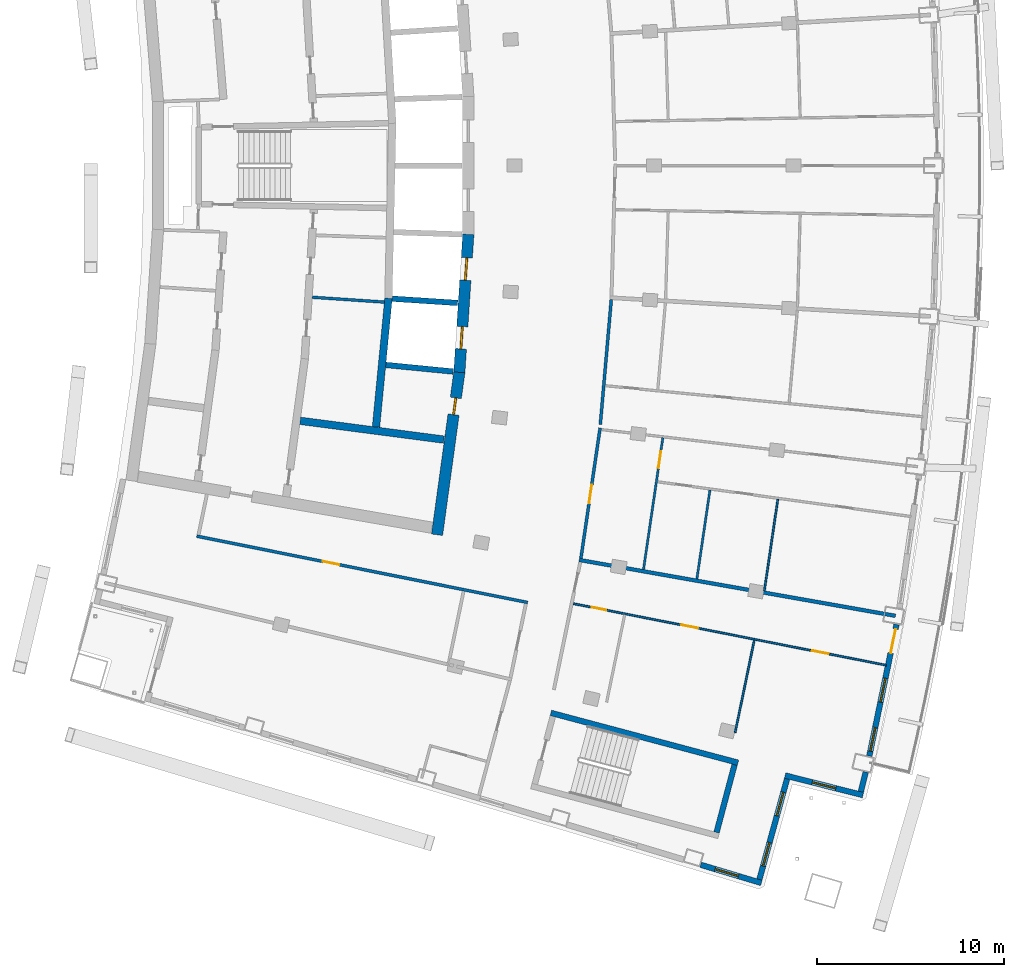
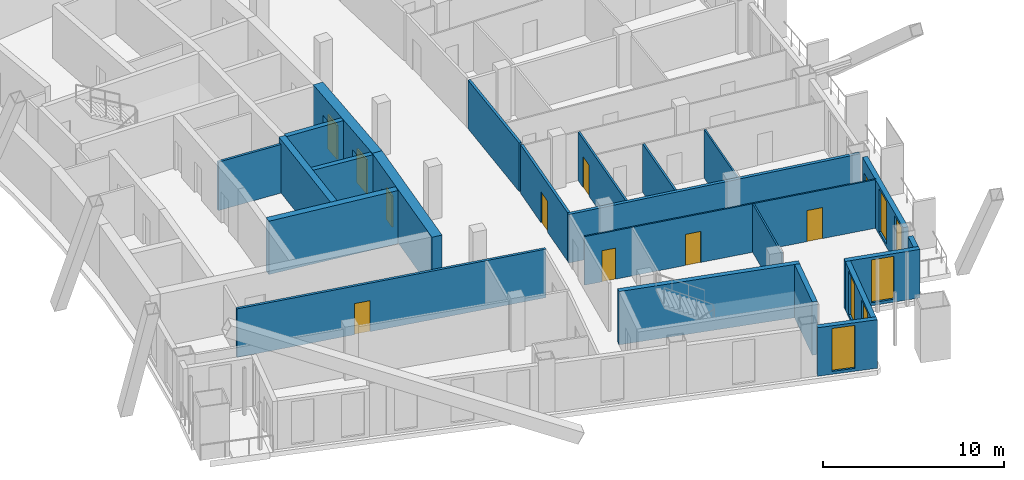
# One storey, part 10 of 19: 23 walls, 10 doors, 6 windows, 16 openings.
"""IFC4 building model written with IfcOpenShell, lengths in metres."""

from ifc_helpers import new_model, si_unit, direction, frame, frame_2d, origin, place, context, subcontext, project, spatial, rectangle, extrude, material, layer, layer_set, type_object, element, fill, save


model = new_model("IFC4")

# Units and contexts
model_context = context("Model", 3, precision=1e-05, world=origin(), true_north=direction((0.0, 1.0)))
body_context = subcontext(model_context, "Body", "Model", "MODEL_VIEW")
ifc_project = project(units=[si_unit("LENGTHUNIT", "METRE"), si_unit("AREAUNIT", "SQUARE_METRE"), si_unit("VOLUMEUNIT", "CUBIC_METRE"), si_unit("PLANEANGLEUNIT", "RADIAN"), si_unit("MASSUNIT", "GRAM", prefix="KILO")], contexts=[model_context])

# Site, building, storey
site_placement = place(None, origin())
site = spatial("IfcSite", under=ifc_project, at=site_placement, CompositionType="ELEMENT")
building_placement = place(site_placement, origin())
building = spatial("IfcBuilding", under=site, at=building_placement, Name="Alderwake Tower", CompositionType="ELEMENT")
storey_placement = place(building_placement, frame((0.0, 0.0, 200.0)))
storey = spatial("IfcBuildingStorey", under=building, at=storey_placement, Name="L49", CompositionType="ELEMENT", Elevation=200.0)

# Wall
ifc_material_1 = material(Name="Gypsum shaft wall system, rated")
ifc_layer_1 = layer(ifc_material_1, 0.14990234375)
ifc_layer_set_1 = layer_set([ifc_layer_1], Name="Core room partition 150")
wall_type_1 = type_object("IfcWallType", Name="Core room partition 150", PredefinedType="PARTITIONING", material=ifc_layer_set_1)
wall_1_placement = place(storey_placement, frame((24.990234375, 53.96142578125, 0.0), z_axis=(0.0, 0.0, 1.0), x_axis=(0.997758824467, -0.06691284031, 0.0)))
element("IfcWall", 1, at=wall_1_placement, inside=storey, type_object=wall_type_1, Name="CW/L49/PR-70_+86", PredefinedType="PARTITIONING", context=body_context, shape_type="SweptSolid", body=[
    extrude(rectangle(XDim=3.86767578125, YDim=0.14990234375, at=frame_2d((1.933837890625, 0.0))), origin(), (0.0, 0.0, 1.0), 3.280029296875),
])

# Wall, opening, door
ifc_material_2 = material(Name="Concrete C70/85", Category="concrete")
ifc_layer_2 = layer(ifc_material_2, 0.60009765625)
ifc_layer_set_2 = layer_set([ifc_layer_2], Name="Core wall outer 600 C70-85")
wall_type_2 = type_object("IfcWallType", Name="Core wall outer 600 C70-85", PredefinedType="SHEAR", material=ifc_layer_set_2)
wall_2_placement = place(storey_placement, frame((32.862548828125, 49.967529296875, 0.0), z_axis=(0.0, 0.0, 1.0), x_axis=(-0.135856583698, -0.990728514108, 0.0)))
wall_2 = element("IfcWall", 2, at=wall_2_placement, inside=storey, type_object=wall_type_2, Name="Core wall CW.017", PredefinedType="SHEAR", context=body_context, shape_type="SweptSolid", body=[
    extrude(rectangle(XDim=8.79296875, YDim=0.60009765625, at=frame_2d((4.396484375, 0.0))), origin(), (0.0, 0.0, 1.0), 3.60009765625),
])
opening_1_placement = place(wall_2_placement, frame((1.40380859375, 0.0, 0.0)))
opening_1 = element("IfcOpeningElement", 3, at=opening_1_placement, cuts=wall_2, Name="Opening C050", PredefinedType="OPENING", context=body_context, shape_type="SweptSolid", body=[
    extrude(rectangle(XDim=0.89990234375, YDim=2.10009765625, at=frame_2d((0.449951171875, 1.050048828125))), frame((0.0, 0.31005859375, 0.0), z_axis=(0.0, -1.0, 0.0), x_axis=(1.0, 0.0, 0.0)), (0.0, 0.0, 1.0), 0.6201171875),
])
ifc_material_3 = material(Name="Painted steel leaf", Category="steel")
door_type_1 = type_object("IfcDoorType", Name="Core room door 900", OperationType="SINGLE_SWING_LEFT", PredefinedType="DOOR", material=ifc_material_3)
door_1_placement = place(opening_1_placement, origin())
door_1 = element("IfcDoor", 4, at=door_1_placement, inside=storey, type_object=door_type_1, Name="Room door", OperationType="SINGLE_SWING_RIGHT", OverallHeight=2.10009765625, OverallWidth=0.89990234375, PredefinedType="DOOR", context=body_context, shape_type="SweptSolid", body=[
    extrude(rectangle(XDim=0.89990234375, YDim=2.10009765625, at=frame_2d((0.449951171875, 1.050048828125))), frame((0.0, 0.050048828125, 0.0), z_axis=(0.0, -1.0, 0.0), x_axis=(1.0, 0.0, 0.0)), (0.0, 0.0, 1.0), 0.10009765625),
])
fill(opening_1, door_1)

# Wall, openings, doors
wall_3_placement = place(storey_placement, frame((32.860107421875, 49.9453125, 0.0), z_axis=(0.0, 0.0, 1.0), x_axis=(0.065013379938, 0.997884392317, 0.0)))
wall_3 = element("IfcWall", 5, at=wall_3_placement, inside=storey, type_object=wall_type_2, Name="Core wall CW.016", PredefinedType="SHEAR", context=body_context, shape_type="SweptSolid", body=[
    extrude(rectangle(XDim=7.39404296875, YDim=0.60009765625, at=frame_2d((3.697021484375, 0.0))), origin(), (0.0, 0.0, 1.0), 3.60009765625),
])
opening_2_placement = place(wall_3_placement, frame((1.254150390625, 0.0, 0.0)))
opening_2 = element("IfcOpeningElement", 6, at=opening_2_placement, cuts=wall_3, Name="Opening LD-HP1", PredefinedType="OPENING", context=body_context, shape_type="SweptSolid", body=[
    extrude(rectangle(XDim=1.199951171875, YDim=2.300048828125, at=frame_2d((0.60009765625, 1.14990234375))), frame((0.0, 0.31005859375, 0.0), z_axis=(0.0, -1.0, 0.0), x_axis=(1.0, 0.0, 0.0)), (0.0, 0.0, 1.0), 0.6201171875),
])
opening_3_placement = place(wall_3_placement, frame((4.941162109375, 0.0, 0.0)))
opening_3 = element("IfcOpeningElement", 7, at=opening_3_placement, cuts=wall_3, Name="Opening LD-HP2", PredefinedType="OPENING", context=body_context, shape_type="SweptSolid", body=[
    extrude(rectangle(XDim=1.199951171875, YDim=2.300048828125, at=frame_2d((0.60009765625, 1.14990234375))), frame((0.0, 0.31005859375, 0.0), z_axis=(0.0, -1.0, 0.0), x_axis=(1.0, 0.0, 0.0)), (0.0, 0.0, 1.0), 0.6201171875),
])
ifc_material_4 = material(Name="Stainless steel sliding leaf", Category="steel")
door_type_2 = type_object("IfcDoorType", Name="Lift landing door 1200", OperationType="SLIDING_TO_LEFT", PredefinedType="DOOR", material=ifc_material_4)
door_2_placement = place(opening_2_placement, origin())
door_2 = element("IfcDoor", 8, at=door_2_placement, inside=storey, type_object=door_type_2, Name="Lift landing door HP1", OperationType="SLIDING_TO_LEFT", OverallHeight=2.300048828125, OverallWidth=1.199951171875, PredefinedType="DOOR", context=body_context, shape_type="SweptSolid", body=[
    extrude(rectangle(XDim=1.199951171875, YDim=2.300048828125, at=frame_2d((0.60009765625, 1.14990234375))), frame((0.0, 0.050048828125, 0.0), z_axis=(0.0, -1.0, 0.0), x_axis=(1.0, 0.0, 0.0)), (0.0, 0.0, 1.0), 0.10009765625),
])
fill(opening_2, door_2)
door_3_placement = place(opening_3_placement, origin())
door_3 = element("IfcDoor", 9, at=door_3_placement, inside=storey, type_object=door_type_2, Name="Lift landing door HP2", OperationType="SLIDING_TO_LEFT", OverallHeight=2.300048828125, OverallWidth=1.199951171875, PredefinedType="DOOR", context=body_context, shape_type="SweptSolid", body=[
    extrude(rectangle(XDim=1.199951171875, YDim=2.300048828125, at=frame_2d((0.60009765625, 1.14990234375))), frame((0.0, 0.050048828125, 0.0), z_axis=(0.0, -1.0, 0.0), x_axis=(1.0, 0.0, 0.0)), (0.0, 0.0, 1.0), 0.10009765625),
])
fill(opening_3, door_3)

# Walls
ifc_material_5 = material(Name="Concrete C70/85", Category="concrete")
ifc_layer_3 = layer(ifc_material_5, 0.300048828125)
ifc_layer_set_3 = layer_set([ifc_layer_3], Name="Core wall shaft 300 C70-85")
wall_type_3 = type_object("IfcWallType", Name="Core wall shaft 300 C70-85", PredefinedType="SHEAR", material=ifc_layer_set_3)
wall_4_placement = place(storey_placement, frame((28.92529296875, 50.341552734375, 0.0), z_axis=(0.0, 0.0, 1.0), x_axis=(0.995244416713, -0.097409193622, 0.0)))
element("IfcWall", 10, at=wall_4_placement, inside=storey, type_object=wall_type_3, Name="Core wall CW.064", PredefinedType="SHEAR", context=body_context, shape_type="SweptSolid", body=[
    extrude(rectangle(XDim=3.624267578125, YDim=0.300048828125, at=frame_2d((1.81201171875, 0.0))), origin(), (0.0, 0.0, 1.0), 3.60009765625),
])
wall_5_placement = place(storey_placement, frame((29.268798828125, 53.884521484375, 0.0), z_axis=(0.0, 0.0, 1.0), x_axis=(0.997887366571, -0.064967712281, 0.0)))
element("IfcWall", 11, at=wall_5_placement, inside=storey, type_object=wall_type_3, Name="Core wall CW.078", PredefinedType="SHEAR", context=body_context, shape_type="SweptSolid", body=[
    extrude(rectangle(XDim=3.509765625, YDim=0.300048828125, at=frame_2d((1.7548828125, 0.0))), origin(), (0.0, 0.0, 1.0), 3.60009765625),
])
ifc_material_6 = material(Name="Concrete C70/85", Category="concrete")
ifc_layer_4 = layer(ifc_material_6, 0.39990234375)
ifc_layer_set_4 = layer_set([ifc_layer_4], Name="Core wall spine 400 C70-85")
wall_type_4 = type_object("IfcWallType", Name="Core wall spine 400 C70-85", PredefinedType="SHEAR", material=ifc_layer_set_4)
wall_6_placement = place(storey_placement, frame((28.402587890625, 47.0234375, 0.0), z_axis=(0.0, 0.0, 1.0), x_axis=(0.096500230077, 0.995332962177, 0.0)))
element("IfcWall", 12, at=wall_6_placement, inside=storey, type_object=wall_type_4, Name="Core wall CW.005", PredefinedType="SHEAR", context=body_context, shape_type="SweptSolid", body=[
    extrude(rectangle(XDim=6.914306640625, YDim=0.39990234375, at=frame_2d((3.45703125, 0.0))), origin(), (0.0, 0.0, 1.0), 3.60009765625),
])
wall_7_placement = place(storey_placement, frame((24.34619140625, 47.352294921875, 0.0), z_axis=(0.0, 0.0, 1.0), x_axis=(0.991554866591, -0.129687881233, 0.0)))
element("IfcWall", 13, at=wall_7_placement, inside=storey, type_object=wall_type_4, Name="Core wall CW.069", PredefinedType="SHEAR", context=body_context, shape_type="SweptSolid", body=[
    extrude(rectangle(XDim=7.752197265625, YDim=0.39990234375, at=frame_2d((3.8759765625, 0.0))), origin(), (0.0, 0.0, 1.0), 3.60009765625),
])
ifc_material_7 = material(Name="Concrete C70/85", Category="concrete")
ifc_layer_5 = layer(ifc_material_7, 0.300048828125)
ifc_layer_set_5 = layer_set([ifc_layer_5], Name="Core wall stair enclosure 300 C70-85")
wall_type_5 = type_object("IfcWallType", Name="Core wall stair enclosure 300 C70-85", PredefinedType="SHEAR", material=ifc_layer_set_5)
wall_8_placement = place(storey_placement, frame((37.75390625, 31.731201171875, 0.0), z_axis=(0.0, 0.0, 1.0), x_axis=(0.966309214305, -0.257383958996, 0.0)))
element("IfcWall", 14, at=wall_8_placement, inside=storey, type_object=wall_type_5, Name="Core wall CW.086", PredefinedType="SHEAR", context=body_context, shape_type="SweptSolid", body=[
    extrude(rectangle(XDim=10.360107421875, YDim=0.300048828125, at=frame_2d((5.18017578125, 0.0))), origin(), (0.0, 0.0, 1.0), 3.60009765625),
])
wall_9_placement = place(storey_placement, frame((46.6162109375, 25.334716796875, 0.0), z_axis=(0.0, 0.0, 1.0), x_axis=(0.257366821694, 0.966313778796, 0.0)))
element("IfcWall", 15, at=wall_9_placement, inside=storey, type_object=wall_type_5, Name="Core wall CW.085", PredefinedType="SHEAR", context=body_context, shape_type="SweptSolid", body=[
    extrude(rectangle(XDim=3.749755859375, YDim=0.300048828125, at=frame_2d((1.875, 0.0))), origin(), (0.0, 0.0, 1.0), 3.60009765625),
])

# Wall, opening, door
ifc_material_8 = material(Name="Gypsum board on metal studs, rated")
ifc_layer_6 = layer(ifc_material_8, 0.159912109375)
ifc_layer_set_6 = layer_set([ifc_layer_6], Name="Corridor wall 160")
wall_type_6 = type_object("IfcWallType", Name="Corridor wall 160", PredefinedType="PARTITIONING", material=ifc_layer_set_6)
wall_10_placement = place(storey_placement, frame((36.513427734375, 37.63427734375, 0.0), z_axis=(0.0, 0.0, 1.0), x_axis=(-0.980470254867, 0.1966674333, 0.0)))
wall_10 = element("IfcWall", 16, at=wall_10_placement, inside=storey, type_object=wall_type_6, Name="WL/L49/W10", PredefinedType="PARTITIONING", context=body_context, shape_type="SweptSolid", body=[
    extrude(rectangle(XDim=18.053466796875, YDim=0.159912109375, at=frame_2d((9.02685546875, 0.0))), origin(), (0.0, 0.0, 1.0), 3.280029296875),
])
opening_4_placement = place(wall_10_placement, frame((10.277099609375, 0.0, 0.0)))
opening_4 = element("IfcOpeningElement", 17, at=opening_4_placement, cuts=wall_10, Name="Opening R14-SBS1", PredefinedType="OPENING", context=body_context, shape_type="SweptSolid", body=[
    extrude(rectangle(XDim=0.89990234375, YDim=2.10009765625, at=frame_2d((0.449951171875, 1.050048828125))), frame((0.0, 0.08984375, 0.0), z_axis=(0.0, -1.0, 0.0), x_axis=(1.0, 0.0, 0.0)), (0.0, 0.0, 1.0), 0.179931640625),
])
ifc_material_9 = material(Name="Painted timber leaf", Category="wood")
door_type_3 = type_object("IfcDoorType", Name="Room door 900", OperationType="SINGLE_SWING_LEFT", PredefinedType="DOOR", material=ifc_material_9)
door_4_placement = place(opening_4_placement, origin())
door_4 = element("IfcDoor", 18, at=door_4_placement, inside=storey, type_object=door_type_3, Name="DR/L49/SBS1", OperationType="SINGLE_SWING_LEFT", OverallHeight=2.10009765625, OverallWidth=0.89990234375, PredefinedType="DOOR", context=body_context, shape_type="SweptSolid", body=[
    extrude(rectangle(XDim=0.89990234375, YDim=2.10009765625, at=frame_2d((0.449951171875, 1.050048828125))), frame((0.0, 0.02490234375, 0.0), z_axis=(0.0, -1.0, 0.0), x_axis=(1.0, 0.0, 0.0)), (0.0, 0.0, 1.0), 0.050048828125),
])
fill(opening_4, door_4)

wall_11_placement = place(storey_placement, frame((40.388671875, 46.97216796875, 0.0), z_axis=(0.0, 0.0, 1.0), x_axis=(-0.145525888156, -0.989354444007, 0.0)))
wall_11 = element("IfcWall", 19, at=wall_11_placement, inside=storey, type_object=wall_type_6, Name="WL/L49/W21", PredefinedType="PARTITIONING", context=body_context, shape_type="SweptSolid", body=[
    extrude(rectangle(XDim=7.051025390625, YDim=0.159912109375, at=frame_2d((3.525390625, 0.0))), origin(), (0.0, 0.0, 1.0), 3.280029296875),
])
opening_5_placement = place(wall_11_placement, frame((3.066162109375, 0.0, 0.0)))
opening_5 = element("IfcOpeningElement", 20, at=opening_5_placement, cuts=wall_11, Name="Opening R14-U04.2", PredefinedType="OPENING", context=body_context, shape_type="SweptSolid", body=[
    extrude(rectangle(XDim=1.0, YDim=2.10009765625, at=frame_2d((0.5, 1.050048828125))), frame((0.0, 0.08984375, 0.0), z_axis=(0.0, -1.0, 0.0), x_axis=(1.0, 0.0, 0.0)), (0.0, 0.0, 1.0), 0.179931640625),
])
ifc_material_10 = material(Name="Solid timber leaf in steel frame", Category="steel")
door_type_4 = type_object("IfcDoorType", Name="Flat entrance door 1000 fire-rated", OperationType="SINGLE_SWING_LEFT", PredefinedType="DOOR", material=ifc_material_10)
door_5_placement = place(opening_5_placement, origin())
door_5 = element("IfcDoor", 21, at=door_5_placement, inside=storey, type_object=door_type_4, Name="DR/L49/U04.2", OperationType="SINGLE_SWING_LEFT", OverallHeight=2.10009765625, OverallWidth=1.0, PredefinedType="DOOR", context=body_context, shape_type="SweptSolid", body=[
    extrude(rectangle(XDim=1.0, YDim=2.10009765625, at=frame_2d((0.5, 1.050048828125))), frame((0.0, 0.02490234375, 0.0), z_axis=(0.0, -1.0, 0.0), x_axis=(1.0, 0.0, 0.0)), (0.0, 0.0, 1.0), 0.050048828125),
])
fill(opening_5, door_5)

# Walls
wall_12_placement = place(storey_placement, frame((40.400390625, 47.15869140625, 0.0), z_axis=(0.0, 0.0, 1.0), x_axis=(0.087437661692, 0.996169993183, 0.0)))
element("IfcWall", 22, at=wall_12_placement, inside=storey, type_object=wall_type_6, Name="WL/L49/W24", PredefinedType="PARTITIONING", context=body_context, shape_type="SweptSolid", body=[
    extrude(rectangle(XDim=6.701171875, YDim=0.159912109375, at=frame_2d((3.3505859375, 0.0))), origin(), (0.0, 0.0, 1.0), 3.280029296875),
])
ifc_material_11 = material(Name="Precast concrete C50/60 spandrel panel", Category="concrete")
ifc_layer_7 = layer(ifc_material_11, 0.300048828125)
ifc_layer_set_7 = layer_set([ifc_layer_7], Name="External wall EW1 Precast concrete C50/60 spandrel")
wall_type_7 = type_object("IfcWallType", Name="External wall EW1 Precast concrete C50/60 spandrel", PredefinedType="SOLIDWALL", material=ifc_layer_set_7)
wall_13_placement = place(storey_placement, frame((54.336181640625, 27.51220703125, 0.0), z_axis=(0.0, 0.0, 1.0), x_axis=(0.238257462472, 0.971202029228, 0.0)))
element("IfcWall", 23, at=wall_13_placement, inside=storey, type_object=wall_type_7, Name="External wall 11", PredefinedType="SOLIDWALL", context=body_context, shape_type="SweptSolid", body=[
    extrude(rectangle(XDim=1.088134765625, YDim=0.300048828125, at=frame_2d((0.5439453125, 0.0))), origin(), (0.0, 0.0, 1.0), 3.280029296875),
])

# Wall, openings, door, windows
wall_14_placement = place(storey_placement, frame((54.788818359375, 29.42529296875, 0.0), z_axis=(0.0, 0.0, 1.0), x_axis=(0.202741640608, 0.979232264156, 0.0)))
wall_14 = element("IfcWall", 24, at=wall_14_placement, inside=storey, type_object=wall_type_7, Name="External wall 12", PredefinedType="SOLIDWALL", context=body_context, shape_type="SweptSolid", body=[
    extrude(rectangle(XDim=7.1806640625, YDim=0.300048828125, at=frame_2d((3.59033203125, 0.0))), origin(), (0.0, 0.0, 1.0), 3.280029296875),
])
opening_6_placement = place(wall_14_placement, frame((0.25341796875, 0.0, 0.199951171875)))
opening_6 = element("IfcOpeningElement", 25, at=opening_6_placement, cuts=wall_14, Name="Opening W1", PredefinedType="OPENING", context=body_context, shape_type="SweptSolid", body=[
    extrude(rectangle(XDim=1.300048828125, YDim=2.89990234375, at=frame_2d((0.64990234375, 1.449951171875))), frame((0.0, 0.159912109375, 0.0), z_axis=(0.0, -1.0, 0.0), x_axis=(1.0, 0.0, 0.0)), (0.0, 0.0, 1.0), 0.320068359375),
])
opening_7_placement = place(wall_14_placement, frame((2.940185546875, 0.0, 0.199951171875)))
opening_7 = element("IfcOpeningElement", 26, at=opening_7_placement, cuts=wall_14, Name="Opening W1", PredefinedType="OPENING", context=body_context, shape_type="SweptSolid", body=[
    extrude(rectangle(XDim=1.300048828125, YDim=2.89990234375, at=frame_2d((0.64990234375, 1.449951171875))), frame((0.0, 0.159912109375, 0.0), z_axis=(0.0, -1.0, 0.0), x_axis=(1.0, 0.0, 0.0)), (0.0, 0.0, 1.0), 0.320068359375),
])
opening_8_placement = place(wall_14_placement, frame((5.626953125, 0.0, 0.0)))
opening_8 = element("IfcOpeningElement", 27, at=opening_8_placement, cuts=wall_14, Name="Opening D02", PredefinedType="OPENING", context=body_context, shape_type="SweptSolid", body=[
    extrude(rectangle(XDim=1.300048828125, YDim=2.39990234375, at=frame_2d((0.64990234375, 1.199951171875))), frame((0.0, 0.159912109375, 0.0), z_axis=(0.0, -1.0, 0.0), x_axis=(1.0, 0.0, 0.0)), (0.0, 0.0, 1.0), 0.320068359375),
])
ifc_material_12 = material(Name="Bronze tinted glass in aluminium frame", Category="aluminium")
door_type_5 = type_object("IfcDoorType", Name="Balcony door BD sliding", OperationType="SLIDING_TO_LEFT", PredefinedType="DOOR", material=ifc_material_12)
door_6_placement = place(opening_8_placement, origin())
door_6 = element("IfcDoor", 28, at=door_6_placement, inside=storey, type_object=door_type_5, Name="Door D02", OperationType="SLIDING_TO_LEFT", OverallHeight=2.39990234375, OverallWidth=1.300048828125, PredefinedType="DOOR", context=body_context, shape_type="SweptSolid", body=[
    extrude(rectangle(XDim=1.300048828125, YDim=2.39990234375, at=frame_2d((0.64990234375, 1.199951171875))), frame((0.0, 0.02490234375, 0.0), z_axis=(0.0, -1.0, 0.0), x_axis=(1.0, 0.0, 0.0)), (0.0, 0.0, 1.0), 0.050048828125),
])
fill(opening_8, door_6)
ifc_material_13 = material(Name="Bronze tinted glass in aluminium frame", Category="aluminium")
window_type = type_object("IfcWindowType", Name="Window W1 tall fixed and vent", PartitioningType="DOUBLE_PANEL_VERTICAL", PredefinedType="WINDOW", material=ifc_material_13)
window_1_placement = place(opening_6_placement, origin())
window_1 = element("IfcWindow", 29, at=window_1_placement, inside=storey, type_object=window_type, Name="Window W1 tall fixed and vent", OverallHeight=2.89990234375, OverallWidth=1.300048828125, PartitioningType="DOUBLE_PANEL_VERTICAL", PredefinedType="WINDOW", context=body_context, shape_type="SweptSolid", body=[
    extrude(rectangle(XDim=1.300048828125, YDim=2.89990234375, at=frame_2d((0.64990234375, 1.449951171875))), frame((0.0, 0.030029296875, 0.0), z_axis=(0.0, -1.0, 0.0), x_axis=(1.0, 0.0, 0.0)), (0.0, 0.0, 1.0), 0.06005859375),
])
fill(opening_6, window_1)
window_2_placement = place(opening_7_placement, origin())
window_2 = element("IfcWindow", 30, at=window_2_placement, inside=storey, type_object=window_type, Name="Window W1 tall fixed and vent", OverallHeight=2.89990234375, OverallWidth=1.300048828125, PartitioningType="DOUBLE_PANEL_VERTICAL", PredefinedType="WINDOW", context=body_context, shape_type="SweptSolid", body=[
    extrude(rectangle(XDim=1.300048828125, YDim=2.89990234375, at=frame_2d((0.64990234375, 1.449951171875))), frame((0.0, 0.030029296875, 0.0), z_axis=(0.0, -1.0, 0.0), x_axis=(1.0, 0.0, 0.0)), (0.0, 0.0, 1.0), 0.06005859375),
])
fill(opening_7, window_2)

# Wall, opening, window
ifc_material_14 = material(Name="Bronze metal cladding on lightweight framing")
ifc_layer_8 = layer(ifc_material_14, 0.300048828125)
ifc_layer_set_8 = layer_set([ifc_layer_8], Name="External wall EW2 bronze metal cladding")
wall_type_8 = type_object("IfcWallType", Name="External wall EW2 bronze metal cladding", PredefinedType="SOLIDWALL", material=ifc_layer_set_8)
wall_15_placement = place(storey_placement, frame((45.767822265625, 23.606201171875, 0.0), z_axis=(0.0, 0.0, 1.0), x_axis=(0.957772718114, -0.287526382159, 0.0)))
wall_15 = element("IfcWall", 31, at=wall_15_placement, inside=storey, type_object=wall_type_8, Name="External wall 8", PredefinedType="SOLIDWALL", context=body_context, shape_type="SweptSolid", body=[
    extrude(rectangle(XDim=3.387939453125, YDim=0.300048828125, at=frame_2d((1.69384765625, 0.0))), origin(), (0.0, 0.0, 1.0), 3.280029296875),
])
opening_9_placement = place(wall_15_placement, frame((0.8056640625, 0.0, 0.199951171875)))
opening_9 = element("IfcOpeningElement", 32, at=opening_9_placement, cuts=wall_15, Name="Opening W1", PredefinedType="OPENING", context=body_context, shape_type="SweptSolid", body=[
    extrude(rectangle(XDim=1.300048828125, YDim=2.89990234375, at=frame_2d((0.64990234375, 1.449951171875))), frame((0.0, 0.159912109375, 0.0), z_axis=(0.0, -1.0, 0.0), x_axis=(1.0, 0.0, 0.0)), (0.0, 0.0, 1.0), 0.320068359375),
])
window_3_placement = place(opening_9_placement, origin())
window_3 = element("IfcWindow", 33, at=window_3_placement, inside=storey, type_object=window_type, Name="Window W1 tall fixed and vent", OverallHeight=2.89990234375, OverallWidth=1.300048828125, PartitioningType="DOUBLE_PANEL_VERTICAL", PredefinedType="WINDOW", context=body_context, shape_type="SweptSolid", body=[
    extrude(rectangle(XDim=1.300048828125, YDim=2.89990234375, at=frame_2d((0.64990234375, 1.449951171875))), frame((0.0, 0.030029296875, 0.0), z_axis=(0.0, -1.0, 0.0), x_axis=(1.0, 0.0, 0.0)), (0.0, 0.0, 1.0), 0.06005859375),
])
fill(opening_9, window_3)

# Wall, openings, windows
wall_16_placement = place(storey_placement, frame((48.90869140625, 22.81982421875, 0.0), z_axis=(0.0, 0.0, 1.0), x_axis=(0.265100570168, 0.964220767095, 0.0)))
wall_16 = element("IfcWall", 34, at=wall_16_placement, inside=storey, type_object=wall_type_8, Name="External wall 9", PredefinedType="SOLIDWALL", context=body_context, shape_type="SweptSolid", body=[
    extrude(rectangle(XDim=5.581787109375, YDim=0.300048828125, at=frame_2d((2.791015625, 0.0))), origin(), (0.0, 0.0, 1.0), 3.280029296875),
])
opening_10_placement = place(wall_16_placement, frame((0.745361328125, 0.0, 0.199951171875)))
opening_10 = element("IfcOpeningElement", 35, at=opening_10_placement, cuts=wall_16, Name="Opening W1", PredefinedType="OPENING", context=body_context, shape_type="SweptSolid", body=[
    extrude(rectangle(XDim=1.300048828125, YDim=2.89990234375, at=frame_2d((0.64990234375, 1.449951171875))), frame((0.0, 0.159912109375, 0.0), z_axis=(0.0, -1.0, 0.0), x_axis=(1.0, 0.0, 0.0)), (0.0, 0.0, 1.0), 0.320068359375),
])
opening_11_placement = place(wall_16_placement, frame((3.536376953125, 0.0, 0.199951171875)))
opening_11 = element("IfcOpeningElement", 36, at=opening_11_placement, cuts=wall_16, Name="Opening W1", PredefinedType="OPENING", context=body_context, shape_type="SweptSolid", body=[
    extrude(rectangle(XDim=1.300048828125, YDim=2.89990234375, at=frame_2d((0.64990234375, 1.449951171875))), frame((0.0, 0.159912109375, 0.0), z_axis=(0.0, -1.0, 0.0), x_axis=(1.0, 0.0, 0.0)), (0.0, 0.0, 1.0), 0.320068359375),
])
window_4_placement = place(opening_10_placement, origin())
window_4 = element("IfcWindow", 37, at=window_4_placement, inside=storey, type_object=window_type, Name="Window W1 tall fixed and vent", OverallHeight=2.89990234375, OverallWidth=1.300048828125, PartitioningType="DOUBLE_PANEL_VERTICAL", PredefinedType="WINDOW", context=body_context, shape_type="SweptSolid", body=[
    extrude(rectangle(XDim=1.300048828125, YDim=2.89990234375, at=frame_2d((0.64990234375, 1.449951171875))), frame((0.0, 0.030029296875, 0.0), z_axis=(0.0, -1.0, 0.0), x_axis=(1.0, 0.0, 0.0)), (0.0, 0.0, 1.0), 0.06005859375),
])
fill(opening_10, window_4)
window_5_placement = place(opening_11_placement, origin())
window_5 = element("IfcWindow", 38, at=window_5_placement, inside=storey, type_object=window_type, Name="Window W1 tall fixed and vent", OverallHeight=2.89990234375, OverallWidth=1.300048828125, PartitioningType="DOUBLE_PANEL_VERTICAL", PredefinedType="WINDOW", context=body_context, shape_type="SweptSolid", body=[
    extrude(rectangle(XDim=1.300048828125, YDim=2.89990234375, at=frame_2d((0.64990234375, 1.449951171875))), frame((0.0, 0.030029296875, 0.0), z_axis=(0.0, -1.0, 0.0), x_axis=(1.0, 0.0, 0.0)), (0.0, 0.0, 1.0), 0.06005859375),
])
fill(opening_11, window_5)

# Wall, opening, window
wall_17_placement = place(storey_placement, frame((50.282958984375, 28.38330078125, 0.0), z_axis=(0.0, 0.0, 1.0), x_axis=(0.969425962264, -0.245383992325, 0.0)))
wall_17 = element("IfcWall", 39, at=wall_17_placement, inside=storey, type_object=wall_type_8, Name="External wall 10", PredefinedType="SOLIDWALL", context=body_context, shape_type="SweptSolid", body=[
    extrude(rectangle(XDim=4.294189453125, YDim=0.300048828125, at=frame_2d((2.14697265625, 0.0))), origin(), (0.0, 0.0, 1.0), 3.280029296875),
])
opening_12_placement = place(wall_17_placement, frame((1.4970703125, 0.0, 0.199951171875)))
opening_12 = element("IfcOpeningElement", 40, at=opening_12_placement, cuts=wall_17, Name="Opening W1", PredefinedType="OPENING", context=body_context, shape_type="SweptSolid", body=[
    extrude(rectangle(XDim=1.300048828125, YDim=2.89990234375, at=frame_2d((0.64990234375, 1.449951171875))), frame((0.0, 0.159912109375, 0.0), z_axis=(0.0, -1.0, 0.0), x_axis=(1.0, 0.0, 0.0)), (0.0, 0.0, 1.0), 0.320068359375),
])
window_6_placement = place(opening_12_placement, origin())
window_6 = element("IfcWindow", 41, at=window_6_placement, inside=storey, type_object=window_type, Name="Window W1 tall fixed and vent", OverallHeight=2.89990234375, OverallWidth=1.300048828125, PartitioningType="DOUBLE_PANEL_VERTICAL", PredefinedType="WINDOW", context=body_context, shape_type="SweptSolid", body=[
    extrude(rectangle(XDim=1.300048828125, YDim=2.89990234375, at=frame_2d((0.64990234375, 1.449951171875))), frame((0.0, 0.030029296875, 0.0), z_axis=(0.0, -1.0, 0.0), x_axis=(1.0, 0.0, 0.0)), (0.0, 0.0, 1.0), 0.06005859375),
])
fill(opening_12, window_6)

# Wall
ifc_material_15 = material(Name="Dense block masonry wall", Category="masonry")
ifc_layer_9 = layer(ifc_material_15, 0.199951171875)
ifc_layer_set_9 = layer_set([ifc_layer_9], Name="Party wall 200")
wall_type_9 = type_object("IfcWallType", Name="Party wall 200", PredefinedType="SOLIDWALL", material=ifc_layer_set_9)
wall_18_placement = place(storey_placement, frame((56.18701171875, 36.9208984375, 0.0), z_axis=(0.0, 0.0, 1.0), x_axis=(-0.984738604475, 0.17403988295, 0.0)))
element("IfcWall", 42, at=wall_18_placement, inside=storey, type_object=wall_type_9, Name="WL/L49/W01", PredefinedType="SOLIDWALL", context=body_context, shape_type="SweptSolid", body=[
    extrude(rectangle(XDim=17.179931640625, YDim=0.199951171875, at=frame_2d((8.58984375, 0.0))), origin(), (0.0, 0.0, 1.0), 3.280029296875),
])

# Wall, openings, doors
ifc_material_16 = material(Name="Gypsum board on metal studs")
ifc_layer_10 = layer(ifc_material_16, 0.10009765625)
ifc_layer_set_10 = layer_set([ifc_layer_10], Name="Unit partition 100")
wall_type_10 = type_object("IfcWallType", Name="Unit partition 100", PredefinedType="PARTITIONING", material=ifc_layer_set_10)
wall_19_placement = place(storey_placement, frame((55.69189453125, 34.278076171875, 0.0), z_axis=(0.0, 0.0, 1.0), x_axis=(-0.981163437525, 0.193179473197, 0.0)))
wall_19 = element("IfcWall", 43, at=wall_19_placement, inside=storey, type_object=wall_type_10, Name="WL/L49/W43", PredefinedType="PARTITIONING", context=body_context, shape_type="SweptSolid", body=[
    extrude(rectangle(XDim=17.06396484375, YDim=0.10009765625, at=frame_2d((8.531982421875, 0.0))), origin(), (0.0, 0.0, 1.0), 3.280029296875),
])
opening_13_placement = place(wall_19_placement, frame((10.263671875, 0.0, 0.0)))
opening_13 = element("IfcOpeningElement", 44, at=opening_13_placement, cuts=wall_19, Name="Opening R14-U03.1", PredefinedType="OPENING", context=body_context, shape_type="SweptSolid", body=[
    extrude(rectangle(XDim=0.89990234375, YDim=2.10009765625, at=frame_2d((0.449951171875, 1.050048828125))), frame((0.0, 0.06005859375, 0.0), z_axis=(0.0, -1.0, 0.0), x_axis=(1.0, 0.0, 0.0)), (0.0, 0.0, 1.0), 0.1201171875),
])
opening_14_placement = place(wall_19_placement, frame((15.25439453125, 0.0, 0.0)))
opening_14 = element("IfcOpeningElement", 45, at=opening_14_placement, cuts=wall_19, Name="Opening R14-U03.3", PredefinedType="OPENING", context=body_context, shape_type="SweptSolid", body=[
    extrude(rectangle(XDim=0.800048828125, YDim=2.10009765625, at=frame_2d((0.39990234375, 1.050048828125))), frame((0.0, 0.06005859375, 0.0), z_axis=(0.0, -1.0, 0.0), x_axis=(1.0, 0.0, 0.0)), (0.0, 0.0, 1.0), 0.1201171875),
])
opening_15_placement = place(wall_19_placement, frame((3.141845703125, 0.0, 0.0)))
opening_15 = element("IfcOpeningElement", 46, at=opening_15_placement, cuts=wall_19, Name="Opening R14-U03.4", PredefinedType="OPENING", context=body_context, shape_type="SweptSolid", body=[
    extrude(rectangle(XDim=0.89990234375, YDim=2.10009765625, at=frame_2d((0.449951171875, 1.050048828125))), frame((0.0, 0.06005859375, 0.0), z_axis=(0.0, -1.0, 0.0), x_axis=(1.0, 0.0, 0.0)), (0.0, 0.0, 1.0), 0.1201171875),
])
ifc_material_17 = material(Name="Painted timber leaf", Category="wood")
door_type_6 = type_object("IfcDoorType", Name="Bathroom door 800", OperationType="SINGLE_SWING_LEFT", PredefinedType="DOOR", material=ifc_material_17)
door_7_placement = place(opening_14_placement, origin())
door_7 = element("IfcDoor", 47, at=door_7_placement, inside=storey, type_object=door_type_6, Name="DR/L49/U03.3", OperationType="SINGLE_SWING_LEFT", OverallHeight=2.10009765625, OverallWidth=0.800048828125, PredefinedType="DOOR", context=body_context, shape_type="SweptSolid", body=[
    extrude(rectangle(XDim=0.800048828125, YDim=2.10009765625, at=frame_2d((0.39990234375, 1.050048828125))), frame((0.0, 0.02490234375, 0.0), z_axis=(0.0, -1.0, 0.0), x_axis=(1.0, 0.0, 0.0)), (0.0, 0.0, 1.0), 0.050048828125),
])
fill(opening_14, door_7)
door_8_placement = place(opening_13_placement, origin())
door_8 = element("IfcDoor", 48, at=door_8_placement, inside=storey, type_object=door_type_3, Name="DR/L49/U03.1", OperationType="SINGLE_SWING_LEFT", OverallHeight=2.10009765625, OverallWidth=0.89990234375, PredefinedType="DOOR", context=body_context, shape_type="SweptSolid", body=[
    extrude(rectangle(XDim=0.89990234375, YDim=2.10009765625, at=frame_2d((0.449951171875, 1.050048828125))), frame((0.0, 0.02490234375, 0.0), z_axis=(0.0, -1.0, 0.0), x_axis=(1.0, 0.0, 0.0)), (0.0, 0.0, 1.0), 0.050048828125),
])
fill(opening_13, door_8)
door_9_placement = place(opening_15_placement, origin())
door_9 = element("IfcDoor", 49, at=door_9_placement, inside=storey, type_object=door_type_3, Name="DR/L49/U03.4", OperationType="SINGLE_SWING_LEFT", OverallHeight=2.10009765625, OverallWidth=0.89990234375, PredefinedType="DOOR", context=body_context, shape_type="SweptSolid", body=[
    extrude(rectangle(XDim=0.89990234375, YDim=2.10009765625, at=frame_2d((0.449951171875, 1.050048828125))), frame((0.0, 0.02490234375, 0.0), z_axis=(0.0, -1.0, 0.0), x_axis=(1.0, 0.0, 0.0)), (0.0, 0.0, 1.0), 0.050048828125),
])
fill(opening_15, door_9)

# Walls
wall_20_placement = place(storey_placement, frame((47.610107421875, 30.672119140625, 0.0), z_axis=(0.0, 0.0, 1.0), x_axis=(0.20291567355, 0.979196216, 0.0)))
element("IfcWall", 50, at=wall_20_placement, inside=storey, type_object=wall_type_10, Name="WL/L49/W51", PredefinedType="PARTITIONING", context=body_context, shape_type="SweptSolid", body=[
    extrude(rectangle(XDim=5.05078125, YDim=0.10009765625, at=frame_2d((2.525390625, 0.0))), origin(), (0.0, 0.0, 1.0), 3.280029296875),
])
wall_21_placement = place(storey_placement, frame((49.175537109375, 38.261962890625, 0.0), z_axis=(0.0, 0.0, 1.0), x_axis=(0.145300878319, 0.989387514961, 0.0)))
element("IfcWall", 51, at=wall_21_placement, inside=storey, type_object=wall_type_10, Name="WL/L49/W52", PredefinedType="PARTITIONING", context=body_context, shape_type="SweptSolid", body=[
    extrude(rectangle(XDim=4.949951171875, YDim=0.10009765625, at=frame_2d((2.47509765625, 0.0))), origin(), (0.0, 0.0, 1.0), 3.280029296875),
])

# Wall, opening, door
ifc_material_18 = material(Name="Moisture resistant gypsum board on metal studs")
ifc_layer_11 = layer(ifc_material_18, 0.1201171875)
ifc_layer_set_11 = layer_set([ifc_layer_11], Name="Wet room partition 120")
wall_type_11 = type_object("IfcWallType", Name="Wet room partition 120", PredefinedType="PARTITIONING", material=ifc_layer_set_11)
wall_22_placement = place(storey_placement, frame((43.74462890625, 46.447509765625, 0.0), z_axis=(0.0, 0.0, 1.0), x_axis=(-0.145290574876, -0.989389028063, 0.0)))
wall_22 = element("IfcWall", 52, at=wall_22_placement, inside=storey, type_object=wall_type_11, Name="WL/L49/W35", PredefinedType="PARTITIONING", context=body_context, shape_type="SweptSolid", body=[
    extrude(rectangle(XDim=7.117919921875, YDim=0.1201171875, at=frame_2d((3.55908203125, 0.0))), origin(), (0.0, 0.0, 1.0), 3.280029296875),
])
opening_16_placement = place(wall_22_placement, frame((0.736572265625, 0.0, 0.0)))
opening_16 = element("IfcOpeningElement", 53, at=opening_16_placement, cuts=wall_22, Name="Opening R14-U04.3", PredefinedType="OPENING", context=body_context, shape_type="SweptSolid", body=[
    extrude(rectangle(XDim=0.89990234375, YDim=2.10009765625, at=frame_2d((0.449951171875, 1.050048828125))), frame((0.0, 0.070068359375, 0.0), z_axis=(0.0, -1.0, 0.0), x_axis=(1.0, 0.0, 0.0)), (0.0, 0.0, 1.0), 0.14013671875),
])
door_10_placement = place(opening_16_placement, origin())
door_10 = element("IfcDoor", 54, at=door_10_placement, inside=storey, type_object=door_type_3, Name="DR/L49/U04.3", OperationType="SINGLE_SWING_LEFT", OverallHeight=2.10009765625, OverallWidth=0.89990234375, PredefinedType="DOOR", context=body_context, shape_type="SweptSolid", body=[
    extrude(rectangle(XDim=0.89990234375, YDim=2.10009765625, at=frame_2d((0.449951171875, 1.050048828125))), frame((0.0, 0.02490234375, 0.0), z_axis=(0.0, -1.0, 0.0), x_axis=(1.0, 0.0, 0.0)), (0.0, 0.0, 1.0), 0.050048828125),
])
fill(opening_16, door_10)

# Wall
wall_23_placement = place(storey_placement, frame((45.56640625, 38.90087890625, 0.0), z_axis=(0.0, 0.0, 1.0), x_axis=(0.145238137818, 0.989396726962, 0.0)))
element("IfcWall", 55, at=wall_23_placement, inside=storey, type_object=wall_type_11, Name="WL/L49/W41", PredefinedType="PARTITIONING", context=body_context, shape_type="SweptSolid", body=[
    extrude(rectangle(XDim=4.8076171875, YDim=0.1201171875, at=frame_2d((2.40380859375, 0.0))), origin(), (0.0, 0.0, 1.0), 3.280029296875),
])

save(model, "model.ifc")
